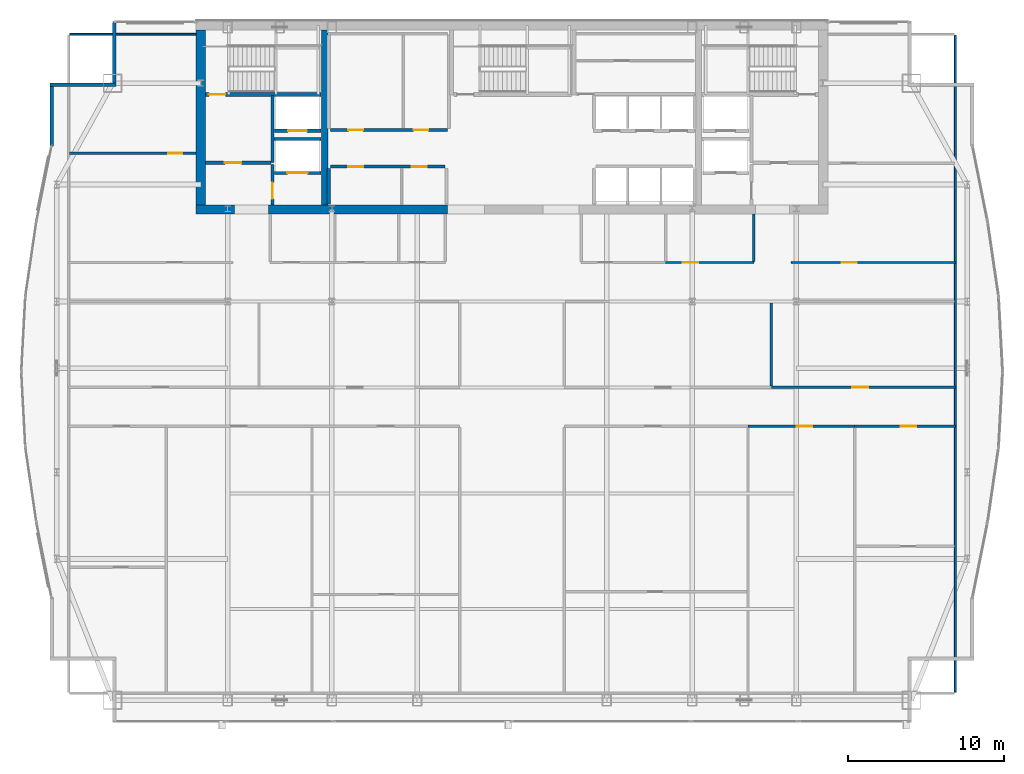
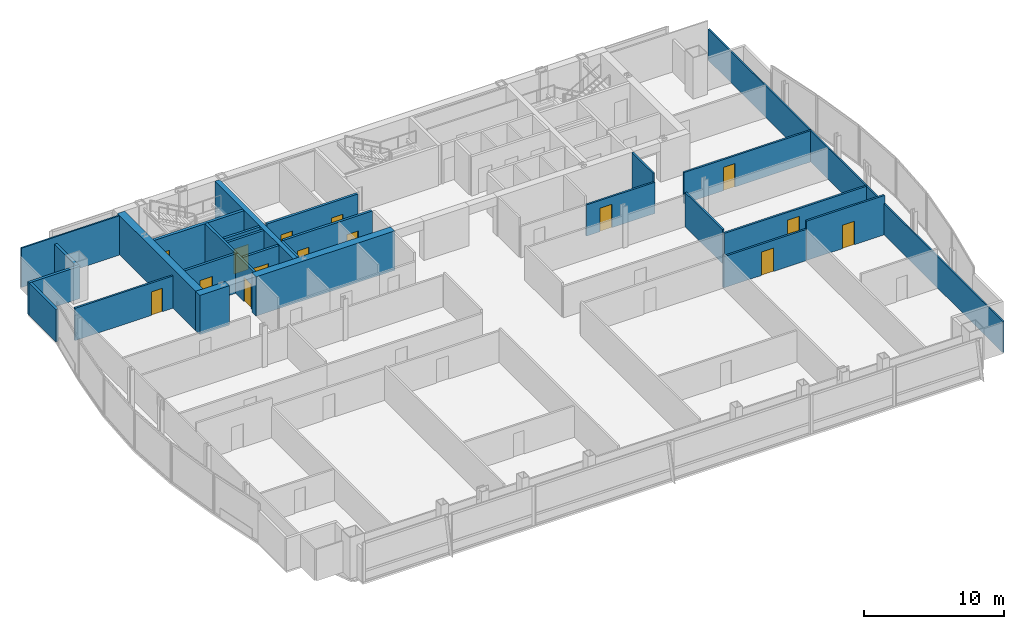
# One storey, part 26 of 30: 27 walls, 15 doors, 15 openings.
"""IFC4 building model written with IfcOpenShell, lengths in metres."""

from ifc_helpers import new_model, si_unit, direction, frame, frame_2d, origin, place, context, subcontext, project, spatial, rectangle, extrude, material, layer, layer_set, type_object, element, fill, save


model = new_model("IFC4")

# Units and contexts
model_context = context("Model", 3, precision=1e-05, world=origin(), true_north=direction((0.0, 1.0)))
body_context = subcontext(model_context, "Body", "Model", "MODEL_VIEW")
ifc_project = project(units=[si_unit("LENGTHUNIT", "METRE"), si_unit("AREAUNIT", "SQUARE_METRE"), si_unit("VOLUMEUNIT", "CUBIC_METRE"), si_unit("PLANEANGLEUNIT", "RADIAN"), si_unit("MASSUNIT", "GRAM", prefix="KILO")], contexts=[model_context])

# Site, building, storey
site_placement = place(None, origin())
site = spatial("IfcSite", under=ifc_project, at=site_placement, CompositionType="ELEMENT")
building_placement = place(site_placement, origin())
building = spatial("IfcBuilding", under=site, at=building_placement, Name="Khoronbel Lancet Exchange", CompositionType="ELEMENT")
storey_placement = place(building_placement, frame((0.0, 0.0, 206.60009765625)))
storey = spatial("IfcBuildingStorey", under=building, at=storey_placement, Name="L52", CompositionType="ELEMENT", Elevation=206.60009765625)

# Walls
ifc_material_1 = material(Name="Concrete C60/75", Category="concrete")
ifc_layer_1 = layer(ifc_material_1, 0.60009765625, Name="Concrete C60/75")
ifc_layer_set_1 = layer_set([ifc_layer_1], Name="Concrete C60/75")
wall_type_1 = type_object("IfcWallType", Name="WL-CW3", PredefinedType="SHEAR", material=ifc_layer_set_1)
wall_1_placement = place(storey_placement, frame((16.5, 41.89990234375, 0.0), z_axis=(0.0, 0.0, 1.0), x_axis=(0.0, 1.0, 0.0)))
element("IfcWall", 1, at=wall_1_placement, inside=storey, type_object=wall_type_1, Name="Level L52 rear core west shear wall", PredefinedType="SHEAR", context=body_context, shape_type="SweptSolid", body=[
    extrude(rectangle(XDim=11.2001953125, YDim=0.60009765625, at=frame_2d((5.60009765625, 0.0))), origin(), (0.0, 0.0, 1.0), 3.43994140625),
])
wall_2_placement = place(storey_placement, frame((18.64990234375, 41.60009765625, 0.0), z_axis=(0.0, 0.0, 1.0), x_axis=(-1.0, 0.0, 0.0)))
element("IfcWall", 2, at=wall_2_placement, inside=storey, type_object=wall_type_1, Name="Level L52 rear core south shear wall pier P1", PredefinedType="SHEAR", context=body_context, shape_type="SweptSolid", body=[
    extrude(rectangle(XDim=2.449951171875, YDim=0.60009765625, at=frame_2d((1.22509765625, 0.0))), origin(), (0.0, 0.0, 1.0), 3.43994140625),
])
wall_3_placement = place(storey_placement, frame((32.300048828125, 41.60009765625, 0.0), z_axis=(0.0, 0.0, 1.0), x_axis=(-1.0, 0.0, 0.0)))
element("IfcWall", 3, at=wall_3_placement, inside=storey, type_object=wall_type_1, Name="Level L52 rear core south shear wall pier P2", PredefinedType="SHEAR", context=body_context, shape_type="SweptSolid", body=[
    extrude(rectangle(XDim=11.449951171875, YDim=0.60009765625, at=frame_2d((5.72509765625, 0.0))), origin(), (0.0, 0.0, 1.0), 3.43994140625),
])
ifc_material_2 = material(Name="Precast concrete C40/50", Category="concrete")
ifc_layer_2 = layer(ifc_material_2, 0.25, Name="Precast concrete C40/50")
ifc_layer_set_2 = layer_set([ifc_layer_2], Name="Precast concrete C40/50")
wall_type_2 = type_object("IfcWallType", Name="WL-EXT250", PredefinedType="SOLIDWALL", material=ifc_layer_set_2)
wall_4_placement = place(storey_placement, frame((6.93994140625, 45.671142578125, 0.0), z_axis=(0.0, 0.0, 1.0), x_axis=(0.0, 1.0, 0.0)))
element("IfcWall", 4, at=wall_4_placement, inside=storey, type_object=wall_type_2, Name="Level L52 notched-corner limestone pier 10", PredefinedType="SOLIDWALL", context=body_context, shape_type="SweptSolid", body=[
    extrude(rectangle(XDim=3.828857421875, YDim=0.219970703125, at=frame_2d((1.91455078125, 0.0))), origin(), (0.0, 0.0, 1.0), 2.829833984375),
])
wall_5_placement = place(storey_placement, frame((6.830078125, 49.610107421875, 0.0), z_axis=(0.0, 0.0, 1.0), x_axis=(1.0, 0.0, 0.0)))
element("IfcWall", 5, at=wall_5_placement, inside=storey, type_object=wall_type_2, Name="Level L52 notched-corner limestone pier 11", PredefinedType="SOLIDWALL", context=body_context, shape_type="SweptSolid", body=[
    extrude(rectangle(XDim=4.219970703125, YDim=0.219970703125, at=frame_2d((2.10986328125, 0.0))), origin(), (0.0, 0.0, 1.0), 2.829833984375),
])
wall_6_placement = place(storey_placement, frame((10.93994140625, 49.719970703125, 0.0), z_axis=(0.0, 0.0, 1.0), x_axis=(0.0, 1.0, 0.0)))
element("IfcWall", 6, at=wall_6_placement, inside=storey, type_object=wall_type_2, Name="Level L52 notched-corner limestone pier 12", PredefinedType="SOLIDWALL", context=body_context, shape_type="SweptSolid", body=[
    extrude(rectangle(XDim=3.909912109375, YDim=0.219970703125, at=frame_2d((1.955078125, 0.0))), origin(), (0.0, 0.0, 1.0), 2.829833984375),
])
ifc_material_3 = material(Name="Acoustic Metal-Stud & Mineral-Wool Gypsum Partition 120 mm", Category="gypsum")
ifc_layer_3 = layer(ifc_material_3, 0.1201171875, Name="Acoustic Metal-Stud & Mineral-Wool Gypsum Partition 120 mm")
ifc_layer_set_3 = layer_set([ifc_layer_3], Name="Acoustic Metal-Stud & Mineral-Wool Gypsum Partition 120 mm")
wall_type_3 = type_object("IfcWallType", Name="WL-PRT120", PredefinedType="PARTITIONING", material=ifc_layer_set_3)
wall_7_placement = place(storey_placement, frame((51.949951171875, 38.280029296875, 0.0), z_axis=(0.0, 0.0, 1.0), x_axis=(0.0, 1.0, 0.0)))
element("IfcWall", 7, at=wall_7_placement, inside=storey, type_object=wall_type_3, Name="Level L52 interior partition PW-NP-1", PredefinedType="PARTITIONING", context=body_context, shape_type="SweptSolid", body=[
    extrude(rectangle(XDim=3.02001953125, YDim=0.14990234375, at=frame_2d((1.510009765625, 0.0))), origin(), (0.0, 0.0, 1.0), 3.43994140625),
])

# Wall, opening, door
wall_8_placement = place(storey_placement, frame((8.094970703125, 45.199951171875, 0.0), z_axis=(0.0, 0.0, 1.0), x_axis=(1.0, 0.0, 0.0)))
wall_8 = element("IfcWall", 8, at=wall_8_placement, inside=storey, type_object=wall_type_3, Name="Level L52 interior partition PW-NW-H", PredefinedType="PARTITIONING", context=body_context, shape_type="SweptSolid", body=[
    extrude(rectangle(XDim=8.10498046875, YDim=0.14990234375, at=frame_2d((4.052490234375, 0.0))), origin(), (0.0, 0.0, 1.0), 2.829833984375),
])
opening_1_placement = place(wall_8_placement, frame((6.320068359375, 0.0, 0.0)))
opening_1 = element("IfcOpeningElement", 9, at=opening_1_placement, cuts=wall_8, Name="Opening D5", PredefinedType="OPENING", context=body_context, shape_type="SweptSolid", body=[
    extrude(rectangle(XDim=0.89990234375, YDim=2.050048828125, at=frame_2d((0.449951171875, 1.02490234375))), frame((0.0, 0.0849609375, 0.0), z_axis=(0.0, -1.0, 0.0), x_axis=(1.0, 0.0, 0.0)), (0.0, 0.0, 1.0), 0.169921875),
])
ifc_material_4 = material(Name="Acoustic Timber Pantry & Support Door", Category="wood")
door_type_1 = type_object("IfcDoorType", Name="DR-D5", OperationType="NOTDEFINED", PredefinedType="DOOR", material=ifc_material_4)
door_1_placement = place(opening_1_placement, origin())
door_1 = element("IfcDoor", 10, at=door_1_placement, inside=storey, type_object=door_type_1, Name="NW north room door L52-1", OperationType="SINGLE_SWING_RIGHT", OverallHeight=2.050048828125, OverallWidth=0.89990234375, PredefinedType="DOOR", context=body_context, shape_type="SweptSolid", body=[
    extrude(rectangle(XDim=0.89990234375, YDim=2.050048828125, at=frame_2d((0.449951171875, 1.02490234375))), frame((0.0, 0.02490234375, 0.0), z_axis=(0.0, -1.0, 0.0), x_axis=(1.0, 0.0, 0.0)), (0.0, 0.0, 1.0), 0.050048828125),
])
fill(opening_1, door_1)

# Walls
wall_9_placement = place(storey_placement, frame((64.8701171875, 10.6650390625, 0.0), z_axis=(0.0, 0.0, 1.0), x_axis=(0.0, 1.0, 0.0)))
element("IfcWall", 11, at=wall_9_placement, inside=storey, type_object=wall_type_3, Name="Level L52 interior partition PW-LIN-E", PredefinedType="PARTITIONING", context=body_context, shape_type="SweptSolid", body=[
    extrude(rectangle(XDim=42.10986328125, YDim=0.1201171875, at=frame_2d((21.054931640625, 0.0))), origin(), (0.0, 0.0, 1.0), 2.72998046875),
])
wall_10_placement = place(storey_placement, frame((8.094970703125, 52.840087890625, 0.0), z_axis=(0.0, 0.0, 1.0), x_axis=(1.0, 0.0, 0.0)))
element("IfcWall", 12, at=wall_10_placement, inside=storey, type_object=wall_type_3, Name="Level L52 interior partition PW-LIN-NW", PredefinedType="PARTITIONING", context=body_context, shape_type="SweptSolid", body=[
    extrude(rectangle(XDim=8.10498046875, YDim=0.1201171875, at=frame_2d((4.052490234375, 0.0))), origin(), (0.0, 0.0, 1.0), 3.43994140625),
])

# Wall, opening, door
ifc_material_5 = material(Name="Fire-Rated Twin-Stud Acoustic Gypsum Partition 150 mm", Category="gypsum")
ifc_layer_4 = layer(ifc_material_5, 0.14990234375, Name="Fire-Rated Twin-Stud Acoustic Gypsum Partition 150 mm")
ifc_layer_set_4 = layer_set([ifc_layer_4], Name="Fire-Rated Twin-Stud Acoustic Gypsum Partition 150 mm")
wall_type_4 = type_object("IfcWallType", Name="WL-PRT150C", PredefinedType="PARTITIONING", material=ifc_layer_set_4)
wall_11_placement = place(storey_placement, frame((46.300048828125, 38.199951171875, 0.0), z_axis=(0.0, 0.0, 1.0), x_axis=(1.0, 0.0, 0.0)))
wall_11 = element("IfcWall", 13, at=wall_11_placement, inside=storey, type_object=wall_type_4, Name="Level L52 interior partition PW-NP-S2", PredefinedType="PARTITIONING", context=body_context, shape_type="SweptSolid", body=[
    extrude(rectangle(XDim=5.64990234375, YDim=0.14990234375, at=frame_2d((2.824951171875, 0.0))), origin(), (0.0, 0.0, 1.0), 2.72998046875),
])
opening_2_placement = place(wall_11_placement, frame((1.10009765625, 0.0, 0.0)))
opening_2 = element("IfcOpeningElement", 14, at=opening_2_placement, cuts=wall_11, Name="Opening D2", PredefinedType="OPENING", context=body_context, shape_type="SweptSolid", body=[
    extrude(rectangle(XDim=1.0, YDim=2.050048828125, at=frame_2d((0.5, 1.02490234375))), frame((0.0, 0.0849609375, 0.0), z_axis=(0.0, -1.0, 0.0), x_axis=(1.0, 0.0, 0.0)), (0.0, 0.0, 1.0), 0.169921875),
])
ifc_material_6 = material(Name="Acoustic Veneered Timber & Bronze Frame Door", Category="wood")
door_type_2 = type_object("IfcDoorType", Name="DR-D2", OperationType="NOTDEFINED", PredefinedType="DOOR", material=ifc_material_6)
door_2_placement = place(opening_2_placement, origin())
door_2 = element("IfcDoor", 15, at=door_2_placement, inside=storey, type_object=door_type_2, Name="Floor store door L52-1", OperationType="SINGLE_SWING_LEFT", OverallHeight=2.050048828125, OverallWidth=1.0, PredefinedType="DOOR", context=body_context, shape_type="SweptSolid", body=[
    extrude(rectangle(XDim=1.0, YDim=2.050048828125, at=frame_2d((0.5, 1.02490234375))), frame((0.0, 0.02490234375, 0.0), z_axis=(0.0, -1.0, 0.0), x_axis=(1.0, 0.0, 0.0)), (0.0, 0.0, 1.0), 0.050048828125),
])
fill(opening_2, door_2)

wall_12_placement = place(storey_placement, frame((54.35009765625, 38.199951171875, 0.0), z_axis=(0.0, 0.0, 1.0), x_axis=(1.0, 0.0, 0.0)))
wall_12 = element("IfcWall", 16, at=wall_12_placement, inside=storey, type_object=wall_type_4, Name="Level L52 interior partition PW-NE-S", PredefinedType="PARTITIONING", context=body_context, shape_type="SweptSolid", body=[
    extrude(rectangle(XDim=10.52001953125, YDim=0.14990234375, at=frame_2d((5.260009765625, 0.0))), origin(), (0.0, 0.0, 1.0), 2.72998046875),
])
opening_3_placement = place(wall_12_placement, frame((3.25, 0.0, 0.0)))
opening_3 = element("IfcOpeningElement", 17, at=opening_3_placement, cuts=wall_12, Name="Opening D1", PredefinedType="OPENING", context=body_context, shape_type="SweptSolid", body=[
    extrude(rectangle(XDim=0.949951171875, YDim=2.050048828125, at=frame_2d((0.47509765625, 1.02490234375))), frame((0.0, 0.0849609375, 0.0), z_axis=(0.0, -1.0, 0.0), x_axis=(1.0, 0.0, 0.0)), (0.0, 0.0, 1.0), 0.169921875),
])
door_type_3 = type_object("IfcDoorType", Name="DR-D1", OperationType="NOTDEFINED", PredefinedType="DOOR", material=ifc_material_6)
door_3_placement = place(opening_3_placement, origin())
door_3 = element("IfcDoor", 18, at=door_3_placement, inside=storey, type_object=door_type_3, Name="NE corner room door L52-1", OperationType="SINGLE_SWING_LEFT", OverallHeight=2.050048828125, OverallWidth=0.949951171875, PredefinedType="DOOR", context=body_context, shape_type="SweptSolid", body=[
    extrude(rectangle(XDim=0.949951171875, YDim=2.050048828125, at=frame_2d((0.47509765625, 1.02490234375))), frame((0.0, 0.02490234375, 0.0), z_axis=(0.0, -1.0, 0.0), x_axis=(1.0, 0.0, 0.0)), (0.0, 0.0, 1.0), 0.050048828125),
])
fill(opening_3, door_3)

# Wall
wall_13_placement = place(storey_placement, frame((53.072509765625, 30.284912109375, 0.0), z_axis=(0.0, 0.0, 1.0), x_axis=(0.0, 1.0, 0.0)))
element("IfcWall", 19, at=wall_13_placement, inside=storey, type_object=wall_type_4, Name="Level L52 interior partition PW-Z3NE-V1", PredefinedType="PARTITIONING", context=body_context, shape_type="SweptSolid", body=[
    extrude(rectangle(XDim=5.335205078125, YDim=0.14990234375, at=frame_2d((2.66748046875, 0.0))), origin(), (0.0, 0.0, 1.0), 2.97998046875),
])

# Wall, opening, door
ifc_material_7 = material(Name="Fire-Rated Twin-Stud Acoustic Gypsum Partition 160 mm", Category="gypsum")
ifc_layer_5 = layer(ifc_material_7, 0.159912109375, Name="Fire-Rated Twin-Stud Acoustic Gypsum Partition 160 mm")
ifc_layer_set_5 = layer_set([ifc_layer_5], Name="Fire-Rated Twin-Stud Acoustic Gypsum Partition 160 mm")
wall_type_5 = type_object("IfcWallType", Name="WL-PRT160C", PredefinedType="PARTITIONING", material=ifc_layer_set_5)
wall_14_placement = place(storey_placement, frame((51.5751953125, 27.699951171875, 0.0), z_axis=(0.0, 0.0, 1.0), x_axis=(1.0, 0.0, 0.0)))
wall_14 = element("IfcWall", 20, at=wall_14_placement, inside=storey, type_object=wall_type_5, Name="Level L52 interior partition PW-Z3SE-COR2", PredefinedType="PARTITIONING", context=body_context, shape_type="SweptSolid", body=[
    extrude(rectangle(XDim=6.83740234375, YDim=0.159912109375, at=frame_2d((3.418701171875, 0.0))), origin(), (0.0, 0.0, 1.0), 2.72998046875),
])
opening_4_placement = place(wall_14_placement, frame((3.12158203125, 0.0, 0.0)))
opening_4 = element("IfcOpeningElement", 21, at=opening_4_placement, cuts=wall_14, Name="Opening D2", PredefinedType="OPENING", context=body_context, shape_type="SweptSolid", body=[
    extrude(rectangle(XDim=1.0, YDim=2.050048828125, at=frame_2d((0.5, 1.02490234375))), frame((0.0, 0.08984375, 0.0), z_axis=(0.0, -1.0, 0.0), x_axis=(1.0, 0.0, 0.0)), (0.0, 0.0, 1.0), 0.179931640625),
])
door_4_placement = place(opening_4_placement, origin())
door_4 = element("IfcDoor", 22, at=door_4_placement, inside=storey, type_object=door_type_2, Name="Z3SE bay 2 door L52-1", OperationType="SINGLE_SWING_LEFT", OverallHeight=2.050048828125, OverallWidth=1.0, PredefinedType="DOOR", context=body_context, shape_type="SweptSolid", body=[
    extrude(rectangle(XDim=1.0, YDim=2.050048828125, at=frame_2d((0.5, 1.02490234375))), frame((0.0, 0.02490234375, 0.0), z_axis=(0.0, -1.0, 0.0), x_axis=(1.0, 0.0, 0.0)), (0.0, 0.0, 1.0), 0.050048828125),
])
fill(opening_4, door_4)

wall_15_placement = place(storey_placement, frame((58.41259765625, 27.699951171875, 0.0), z_axis=(0.0, 0.0, 1.0), x_axis=(1.0, 0.0, 0.0)))
wall_15 = element("IfcWall", 23, at=wall_15_placement, inside=storey, type_object=wall_type_5, Name="Level L52 interior partition PW-Z3SE-COR3", PredefinedType="PARTITIONING", context=body_context, shape_type="SweptSolid", body=[
    extrude(rectangle(XDim=6.45751953125, YDim=0.159912109375, at=frame_2d((3.228759765625, 0.0))), origin(), (0.0, 0.0, 1.0), 3.43994140625),
])
opening_5_placement = place(wall_15_placement, frame((2.962158203125, 0.0, 0.0)))
opening_5 = element("IfcOpeningElement", 24, at=opening_5_placement, cuts=wall_15, Name="Opening D2", PredefinedType="OPENING", context=body_context, shape_type="SweptSolid", body=[
    extrude(rectangle(XDim=1.0, YDim=2.050048828125, at=frame_2d((0.5, 1.02490234375))), frame((0.0, 0.08984375, 0.0), z_axis=(0.0, -1.0, 0.0), x_axis=(1.0, 0.0, 0.0)), (0.0, 0.0, 1.0), 0.179931640625),
])
door_5_placement = place(opening_5_placement, origin())
door_5 = element("IfcDoor", 25, at=door_5_placement, inside=storey, type_object=door_type_2, Name="Z3SE bay 3 door L52-1", OperationType="SINGLE_SWING_RIGHT", OverallHeight=2.050048828125, OverallWidth=1.0, PredefinedType="DOOR", context=body_context, shape_type="SweptSolid", body=[
    extrude(rectangle(XDim=1.0, YDim=2.050048828125, at=frame_2d((0.5, 1.02490234375))), frame((0.0, 0.02490234375, 0.0), z_axis=(0.0, -1.0, 0.0), x_axis=(1.0, 0.0, 0.0)), (0.0, 0.0, 1.0), 0.050048828125),
])
fill(opening_5, door_5)

wall_16_placement = place(storey_placement, frame((53.072509765625, 30.199951171875, 0.0), z_axis=(0.0, 0.0, 1.0), x_axis=(1.0, 0.0, 0.0)))
wall_16 = element("IfcWall", 26, at=wall_16_placement, inside=storey, type_object=wall_type_5, Name="Level L52 interior partition PW-Z3NE-COR2", PredefinedType="PARTITIONING", context=body_context, shape_type="SweptSolid", body=[
    extrude(rectangle(XDim=11.797607421875, YDim=0.159912109375, at=frame_2d((5.89892578125, 0.0))), origin(), (0.0, 0.0, 1.0), 2.72998046875),
])
opening_6_placement = place(wall_16_placement, frame((5.205078125, 0.0, 0.0)))
opening_6 = element("IfcOpeningElement", 27, at=opening_6_placement, cuts=wall_16, Name="Opening D2", PredefinedType="OPENING", context=body_context, shape_type="SweptSolid", body=[
    extrude(rectangle(XDim=1.0, YDim=2.050048828125, at=frame_2d((0.5, 1.02490234375))), frame((0.0, 0.08984375, 0.0), z_axis=(0.0, -1.0, 0.0), x_axis=(1.0, 0.0, 0.0)), (0.0, 0.0, 1.0), 0.179931640625),
])
door_6_placement = place(opening_6_placement, origin())
door_6 = element("IfcDoor", 28, at=door_6_placement, inside=storey, type_object=door_type_2, Name="Z3NE bay 2 door L52-1", OperationType="SINGLE_SWING_LEFT", OverallHeight=2.050048828125, OverallWidth=1.0, PredefinedType="DOOR", context=body_context, shape_type="SweptSolid", body=[
    extrude(rectangle(XDim=1.0, YDim=2.050048828125, at=frame_2d((0.5, 1.02490234375))), frame((0.0, 0.02490234375, 0.0), z_axis=(0.0, -1.0, 0.0), x_axis=(1.0, 0.0, 0.0)), (0.0, 0.0, 1.0), 0.050048828125),
])
fill(opening_6, door_6)

ifc_material_8 = material(Name="Autoclaved Aerated Concrete Blockwork 200 mm", Category="masonry")
ifc_layer_6 = layer(ifc_material_8, 0.199951171875, Name="Autoclaved Aerated Concrete Blockwork 200 mm")
ifc_layer_set_6 = layer_set([ifc_layer_6], Name="Autoclaved Aerated Concrete Blockwork 200 mm")
wall_type_6 = type_object("IfcWallType", Name="WL-PRT200", PredefinedType="PARTITIONING", material=ifc_layer_set_6)
wall_17_placement = place(storey_placement, frame((24.2099609375, 43.949951171875, 0.0), z_axis=(0.0, 0.0, 1.0), x_axis=(-1.0, 0.0, 0.0)))
wall_17 = element("IfcWall", 29, at=wall_17_placement, inside=storey, type_object=wall_type_6, Name="Level L52 elevator hoistway landing front wall SVLW", PredefinedType="PARTITIONING", context=body_context, shape_type="SweptSolid", body=[
    extrude(rectangle(XDim=2.969970703125, YDim=0.199951171875, at=frame_2d((1.48486328125, 0.0))), origin(), (0.0, 0.0, 1.0), 3.43994140625),
])
opening_7_placement = place(wall_17_placement, frame((0.860107421875, 0.0, 0.0)))
opening_7 = element("IfcOpeningElement", 30, at=opening_7_placement, cuts=wall_17, Name="Opening LD-SVL1", PredefinedType="OPENING", context=body_context, shape_type="SweptSolid", body=[
    extrude(rectangle(XDim=1.300048828125, YDim=2.179931640625, at=frame_2d((0.64990234375, 1.08984375))), frame((0.0, 0.10986328125, 0.0), z_axis=(0.0, -1.0, 0.0), x_axis=(1.0, 0.0, 0.0)), (0.0, 0.0, 1.0), 0.219970703125),
])
ifc_material_9 = material(Name="Heavy-Duty Bi-Parting Goods Lift Landing Door", Category="steel")
door_type_4 = type_object("IfcDoorType", Name="DR-LD-SVL", OperationType="NOTDEFINED", PredefinedType="DOOR", material=ifc_material_9)
door_7_placement = place(opening_7_placement, origin())
door_7 = element("IfcDoor", 31, at=door_7_placement, inside=storey, type_object=door_type_4, Name="Elevator landing sliding door LD-SVL1 L52", OperationType="SLIDING_TO_LEFT", OverallHeight=2.179931640625, OverallWidth=1.300048828125, PredefinedType="DOOR", context=body_context, shape_type="SweptSolid", body=[
    extrude(rectangle(XDim=1.300048828125, YDim=2.179931640625, at=frame_2d((0.64990234375, 1.08984375))), frame((0.0, 0.02490234375, 0.0), z_axis=(0.0, -1.0, 0.0), x_axis=(1.0, 0.0, 0.0)), (0.0, 0.0, 1.0), 0.050048828125),
])
fill(opening_7, door_7)

wall_18_placement = place(storey_placement, frame((24.2099609375, 46.64990234375, 0.0), z_axis=(0.0, 0.0, 1.0), x_axis=(-1.0, 0.0, 0.0)))
wall_18 = element("IfcWall", 32, at=wall_18_placement, inside=storey, type_object=wall_type_6, Name="Level L52 elevator hoistway landing front wall FFLW", PredefinedType="PARTITIONING", context=body_context, shape_type="SweptSolid", body=[
    extrude(rectangle(XDim=2.969970703125, YDim=0.199951171875, at=frame_2d((1.48486328125, 0.0))), origin(), (0.0, 0.0, 1.0), 3.43994140625),
])
opening_8_placement = place(wall_18_placement, frame((0.909912109375, 0.0, 0.0)))
opening_8 = element("IfcOpeningElement", 33, at=opening_8_placement, cuts=wall_18, Name="Opening LD-FFL1", PredefinedType="OPENING", context=body_context, shape_type="SweptSolid", body=[
    extrude(rectangle(XDim=1.199951171875, YDim=2.179931640625, at=frame_2d((0.60009765625, 1.08984375))), frame((0.0, 0.10986328125, 0.0), z_axis=(0.0, -1.0, 0.0), x_axis=(1.0, 0.0, 0.0)), (0.0, 0.0, 1.0), 0.219970703125),
])
ifc_material_10 = material(Name="Fire-Rated Stainless Bi-Parting Firefighting Lift Door", Category="steel")
door_type_5 = type_object("IfcDoorType", Name="DR-LD-FFL", OperationType="NOTDEFINED", PredefinedType="DOOR", material=ifc_material_10)
door_8_placement = place(opening_8_placement, origin())
door_8 = element("IfcDoor", 34, at=door_8_placement, inside=storey, type_object=door_type_5, Name="Elevator landing sliding door LD-FFL1 L52", OperationType="SLIDING_TO_LEFT", OverallHeight=2.179931640625, OverallWidth=1.199951171875, PredefinedType="DOOR", context=body_context, shape_type="SweptSolid", body=[
    extrude(rectangle(XDim=1.199951171875, YDim=2.179931640625, at=frame_2d((0.60009765625, 1.08984375))), frame((0.0, 0.02490234375, 0.0), z_axis=(0.0, -1.0, 0.0), x_axis=(1.0, 0.0, 0.0)), (0.0, 0.0, 1.0), 0.050048828125),
])
fill(opening_8, door_8)

# Wall
wall_19_placement = place(storey_placement, frame((21.10009765625, 44.60009765625, 0.0), z_axis=(0.0, 0.0, 1.0), x_axis=(0.0, 1.0, 0.0)))
element("IfcWall", 35, at=wall_19_placement, inside=storey, type_object=wall_type_6, Name="Level L52 interior partition CW-FFLW-E", PredefinedType="PARTITIONING", context=body_context, shape_type="SweptSolid", body=[
    extrude(rectangle(XDim=4.2998046875, YDim=0.199951171875, at=frame_2d((2.14990234375, 0.0))), origin(), (0.0, 0.0, 1.0), 3.43994140625),
])

# Wall, opening, door
wall_20_placement = place(storey_placement, frame((16.800048828125, 44.60009765625, 0.0), z_axis=(0.0, 0.0, 1.0), x_axis=(1.0, 0.0, 0.0)))
wall_20 = element("IfcWall", 36, at=wall_20_placement, inside=storey, type_object=wall_type_6, Name="Level L52 interior partition CW-FFLW-S", PredefinedType="PARTITIONING", context=body_context, shape_type="SweptSolid", body=[
    extrude(rectangle(XDim=4.199951171875, YDim=0.199951171875, at=frame_2d((2.10009765625, 0.0))), origin(), (0.0, 0.0, 1.0), 3.43994140625),
])
opening_9_placement = place(wall_20_placement, frame((1.25, 0.0, 0.0)))
opening_9 = element("IfcOpeningElement", 37, at=opening_9_placement, cuts=wall_20, Name="Opening FD1", PredefinedType="OPENING", context=body_context, shape_type="SweptSolid", body=[
    extrude(rectangle(XDim=1.050048828125, YDim=2.14990234375, at=frame_2d((0.52490234375, 1.074951171875))), frame((0.0, 0.10986328125, 0.0), z_axis=(0.0, -1.0, 0.0), x_axis=(1.0, 0.0, 0.0)), (0.0, 0.0, 1.0), 0.219970703125),
])
ifc_material_11 = material(Name="Fire-Rated Painted Steel Door Assembly", Category="steel")
door_type_6 = type_object("IfcDoorType", Name="DR-FD1", OperationType="NOTDEFINED", PredefinedType="DOOR", material=ifc_material_11)
door_9_placement = place(opening_9_placement, origin())
door_9 = element("IfcDoor", 38, at=door_9_placement, inside=storey, type_object=door_type_6, Name="West firefighting lobby FD90S door L52-1", OperationType="SINGLE_SWING_LEFT", OverallHeight=2.14990234375, OverallWidth=1.050048828125, PredefinedType="DOOR", context=body_context, shape_type="SweptSolid", body=[
    extrude(rectangle(XDim=1.050048828125, YDim=2.14990234375, at=frame_2d((0.52490234375, 1.074951171875))), frame((0.0, 0.02490234375, 0.0), z_axis=(0.0, -1.0, 0.0), x_axis=(1.0, 0.0, 0.0)), (0.0, 0.0, 1.0), 0.050048828125),
])
fill(opening_9, door_9)

# Wall
wall_21_placement = place(storey_placement, frame((21.199951171875, 46.1201171875, 0.0), z_axis=(0.0, 0.0, 1.0), x_axis=(1.0, 0.0, 0.0)))
element("IfcWall", 39, at=wall_21_placement, inside=storey, type_object=wall_type_6, Name="Level L52 interior partition CW-FFL1-S", PredefinedType="PARTITIONING", context=body_context, shape_type="SweptSolid", body=[
    extrude(rectangle(XDim=3.02001953125, YDim=0.199951171875, at=frame_2d((1.510009765625, 0.0))), origin(), (0.0, 0.0, 1.0), 3.43994140625),
])

# Wall, opening, door
wall_22_placement = place(storey_placement, frame((21.10009765625, 41.89990234375, 0.0), z_axis=(0.0, 0.0, 1.0), x_axis=(0.0, 1.0, 0.0)))
wall_22 = element("IfcWall", 40, at=wall_22_placement, inside=storey, type_object=wall_type_6, Name="Level L52 interior partition CW-SVLW-W", PredefinedType="PARTITIONING", context=body_context, shape_type="SweptSolid", body=[
    extrude(rectangle(XDim=2.59521484375, YDim=0.199951171875, at=frame_2d((1.297607421875, 0.0))), origin(), (0.0, 0.0, 1.0), 3.43994140625),
])
opening_10_placement = place(wall_22_placement, frame((0.3798828125, 0.0, 0.0)))
opening_10 = element("IfcOpeningElement", 41, at=opening_10_placement, cuts=wall_22, Name="Opening FD1", PredefinedType="OPENING", context=body_context, shape_type="SweptSolid", body=[
    extrude(rectangle(XDim=1.050048828125, YDim=2.14990234375, at=frame_2d((0.52490234375, 1.074951171875))), frame((0.0, 0.10986328125, 0.0), z_axis=(0.0, -1.0, 0.0), x_axis=(1.0, 0.0, 0.0)), (0.0, 0.0, 1.0), 0.219970703125),
])
door_10_placement = place(opening_10_placement, origin())
door_10 = element("IfcDoor", 42, at=door_10_placement, inside=storey, type_object=door_type_6, Name="West service lift lobby door L52-1", OperationType="SINGLE_SWING_RIGHT", OverallHeight=2.14990234375, OverallWidth=1.050048828125, PredefinedType="DOOR", context=body_context, shape_type="SweptSolid", body=[
    extrude(rectangle(XDim=1.050048828125, YDim=2.14990234375, at=frame_2d((0.52490234375, 1.074951171875))), frame((0.0, 0.02490234375, 0.0), z_axis=(0.0, -1.0, 0.0), x_axis=(1.0, 0.0, 0.0)), (0.0, 0.0, 1.0), 0.050048828125),
])
fill(opening_10, door_10)

# Wall, openings, doors
wall_23_placement = place(storey_placement, frame((24.804931640625, 46.699951171875, 0.0), z_axis=(0.0, 0.0, 1.0), x_axis=(1.0, 0.0, 0.0)))
wall_23 = element("IfcWall", 43, at=wall_23_placement, inside=storey, type_object=wall_type_6, Name="Level L52 interior partition CW-PL-RF", PredefinedType="PARTITIONING", context=body_context, shape_type="SweptSolid", body=[
    extrude(rectangle(XDim=7.510009765625, YDim=0.199951171875, at=frame_2d((3.7548828125, 0.0))), origin(), (0.0, 0.0, 1.0), 3.43994140625),
])
opening_11_placement = place(wall_23_placement, frame((1.14990234375, 0.0, 0.0)))
opening_11 = element("IfcOpeningElement", 44, at=opening_11_placement, cuts=wall_23, Name="Opening FD3", PredefinedType="OPENING", context=body_context, shape_type="SweptSolid", body=[
    extrude(rectangle(XDim=0.949951171875, YDim=2.10009765625, at=frame_2d((0.47509765625, 1.050048828125))), frame((0.0, 0.10986328125, 0.0), z_axis=(0.0, -1.0, 0.0), x_axis=(1.0, 0.0, 0.0)), (0.0, 0.0, 1.0), 0.219970703125),
])
opening_12_placement = place(wall_23_placement, frame((5.33642578125, 0.0, 0.0)))
opening_12 = element("IfcOpeningElement", 45, at=opening_12_placement, cuts=wall_23, Name="Opening FD3", PredefinedType="OPENING", context=body_context, shape_type="SweptSolid", body=[
    extrude(rectangle(XDim=0.949951171875, YDim=2.10009765625, at=frame_2d((0.47509765625, 1.050048828125))), frame((0.0, 0.10986328125, 0.0), z_axis=(0.0, -1.0, 0.0), x_axis=(1.0, 0.0, 0.0)), (0.0, 0.0, 1.0), 0.219970703125),
])
ifc_material_12 = material(Name="Fire-Rated Steel Plant & Riser Door Assembly", Category="steel")
door_type_7 = type_object("IfcDoorType", Name="DR-FD3", OperationType="NOTDEFINED", PredefinedType="DOOR", material=ifc_material_12)
door_11_placement = place(opening_11_placement, origin())
door_11 = element("IfcDoor", 46, at=door_11_placement, inside=storey, type_object=door_type_7, Name="Reclaimed PL C door L52-1", OperationType="SINGLE_SWING_LEFT", OverallHeight=2.10009765625, OverallWidth=0.949951171875, PredefinedType="DOOR", context=body_context, shape_type="SweptSolid", body=[
    extrude(rectangle(XDim=0.949951171875, YDim=2.10009765625, at=frame_2d((0.47509765625, 1.050048828125))), frame((0.0, 0.02490234375, 0.0), z_axis=(0.0, -1.0, 0.0), x_axis=(1.0, 0.0, 0.0)), (0.0, 0.0, 1.0), 0.050048828125),
])
fill(opening_11, door_11)
door_12_placement = place(opening_12_placement, origin())
door_12 = element("IfcDoor", 47, at=door_12_placement, inside=storey, type_object=door_type_7, Name="Reclaimed PL D door L52-2", OperationType="SINGLE_SWING_RIGHT", OverallHeight=2.10009765625, OverallWidth=0.949951171875, PredefinedType="DOOR", context=body_context, shape_type="SweptSolid", body=[
    extrude(rectangle(XDim=0.949951171875, YDim=2.10009765625, at=frame_2d((0.47509765625, 1.050048828125))), frame((0.0, 0.02490234375, 0.0), z_axis=(0.0, -1.0, 0.0), x_axis=(1.0, 0.0, 0.0)), (0.0, 0.0, 1.0), 0.050048828125),
])
fill(opening_12, door_12)

# Wall
wall_24_placement = place(storey_placement, frame((24.699951171875, 41.949951171875, 0.0), z_axis=(0.0, 0.0, 1.0), x_axis=(0.0, 1.0, 0.0)))
element("IfcWall", 48, at=wall_24_placement, inside=storey, type_object=wall_type_6, Name="Level L52 interior partition CW-PM-RW", PredefinedType="PARTITIONING", context=body_context, shape_type="SweptSolid", body=[
    extrude(rectangle(XDim=2.295166015625, YDim=0.199951171875, at=frame_2d((1.1474609375, 0.0))), origin(), (0.0, 0.0, 1.0), 3.43994140625),
])

# Wall, openings, doors
wall_25_placement = place(storey_placement, frame((24.804931640625, 44.35009765625, 0.0), z_axis=(0.0, 0.0, 1.0), x_axis=(1.0, 0.0, 0.0)))
wall_25 = element("IfcWall", 49, at=wall_25_placement, inside=storey, type_object=wall_type_6, Name="Level L52 interior partition CW-PM-RF", PredefinedType="PARTITIONING", context=body_context, shape_type="SweptSolid", body=[
    extrude(rectangle(XDim=7.340087890625, YDim=0.199951171875, at=frame_2d((3.669921875, 0.0))), origin(), (0.0, 0.0, 1.0), 3.43994140625),
])
opening_13_placement = place(wall_25_placement, frame((1.14990234375, 0.0, 0.0)))
opening_13 = element("IfcOpeningElement", 50, at=opening_13_placement, cuts=wall_25, Name="Opening FD3", PredefinedType="OPENING", context=body_context, shape_type="SweptSolid", body=[
    extrude(rectangle(XDim=0.949951171875, YDim=2.10009765625, at=frame_2d((0.47509765625, 1.050048828125))), frame((0.0, 0.10986328125, 0.0), z_axis=(0.0, -1.0, 0.0), x_axis=(1.0, 0.0, 0.0)), (0.0, 0.0, 1.0), 0.219970703125),
])
opening_14_placement = place(wall_25_placement, frame((5.23095703125, 0.0, 0.0)))
opening_14 = element("IfcOpeningElement", 51, at=opening_14_placement, cuts=wall_25, Name="Opening FD3", PredefinedType="OPENING", context=body_context, shape_type="SweptSolid", body=[
    extrude(rectangle(XDim=0.949951171875, YDim=2.10009765625, at=frame_2d((0.47509765625, 1.050048828125))), frame((0.0, 0.10986328125, 0.0), z_axis=(0.0, -1.0, 0.0), x_axis=(1.0, 0.0, 0.0)), (0.0, 0.0, 1.0), 0.219970703125),
])
door_13_placement = place(opening_13_placement, origin())
door_13 = element("IfcDoor", 52, at=door_13_placement, inside=storey, type_object=door_type_7, Name="Reclaimed PM C door L52-1", OperationType="SINGLE_SWING_LEFT", OverallHeight=2.10009765625, OverallWidth=0.949951171875, PredefinedType="DOOR", context=body_context, shape_type="SweptSolid", body=[
    extrude(rectangle(XDim=0.949951171875, YDim=2.10009765625, at=frame_2d((0.47509765625, 1.050048828125))), frame((0.0, 0.02490234375, 0.0), z_axis=(0.0, -1.0, 0.0), x_axis=(1.0, 0.0, 0.0)), (0.0, 0.0, 1.0), 0.050048828125),
])
fill(opening_13, door_13)
door_14_placement = place(opening_14_placement, origin())
door_14 = element("IfcDoor", 53, at=door_14_placement, inside=storey, type_object=door_type_7, Name="Reclaimed PM D door L52-2", OperationType="SINGLE_SWING_RIGHT", OverallHeight=2.10009765625, OverallWidth=0.949951171875, PredefinedType="DOOR", context=body_context, shape_type="SweptSolid", body=[
    extrude(rectangle(XDim=0.949951171875, YDim=2.10009765625, at=frame_2d((0.47509765625, 1.050048828125))), frame((0.0, 0.02490234375, 0.0), z_axis=(0.0, -1.0, 0.0), x_axis=(1.0, 0.0, 0.0)), (0.0, 0.0, 1.0), 0.050048828125),
])
fill(opening_14, door_14)

# Wall
ifc_layer_7 = layer(ifc_material_1, 0.39990234375, Name="Concrete C60/75")
ifc_layer_set_7 = layer_set([ifc_layer_7], Name="Concrete C60/75")
wall_type_7 = type_object("IfcWallType", Name="WL-SW2", PredefinedType="SHEAR", material=ifc_layer_set_7)
wall_26_placement = place(storey_placement, frame((24.449951171875, 41.89990234375, 0.0), z_axis=(0.0, 0.0, 1.0), x_axis=(0.0, 1.0, 0.0)))
element("IfcWall", 54, at=wall_26_placement, inside=storey, type_object=wall_type_7, Name="Level L52 rear core internal spine shear wall IW", PredefinedType="SHEAR", context=body_context, shape_type="SweptSolid", body=[
    extrude(rectangle(XDim=11.2001953125, YDim=0.39990234375, at=frame_2d((5.60009765625, 0.0))), origin(), (0.0, 0.0, 1.0), 3.43994140625),
])

# Wall, opening, door
ifc_layer_8 = layer(ifc_material_1, 0.260009765625, Name="Concrete C60/75")
ifc_layer_set_8 = layer_set([ifc_layer_8], Name="Concrete C60/75")
wall_type_8 = type_object("IfcWallType", Name="WL-SW3", PredefinedType="SHEAR", material=ifc_layer_set_8)
wall_27_placement = place(storey_placement, frame((16.800048828125, 48.97998046875, 0.0), z_axis=(0.0, 0.0, 1.0), x_axis=(1.0, 0.0, 0.0)))
wall_27 = element("IfcWall", 55, at=wall_27_placement, inside=storey, type_object=wall_type_8, Name="Level L52 west stairwell structural south wall", PredefinedType="SHEAR", context=body_context, shape_type="SweptSolid", body=[
    extrude(rectangle(XDim=7.419921875, YDim=0.239990234375, at=frame_2d((3.7099609375, 0.0))), origin(), (0.0, 0.0, 1.0), 3.43994140625),
])
opening_15_placement = place(wall_27_placement, frame((0.219970703125, 0.0, 0.0)))
opening_15 = element("IfcOpeningElement", 56, at=opening_15_placement, cuts=wall_27, Name="Opening SD1", PredefinedType="OPENING", context=body_context, shape_type="SweptSolid", body=[
    extrude(rectangle(XDim=1.050048828125, YDim=2.14990234375, at=frame_2d((0.52490234375, 1.074951171875))), frame((0.0, 0.1298828125, 0.0), z_axis=(0.0, -1.0, 0.0), x_axis=(1.0, 0.0, 0.0)), (0.0, 0.0, 1.0), 0.260009765625),
])
ifc_material_13 = material(Name="Fire-Rated Steel Stairwell Door Assembly", Category="steel")
door_type_8 = type_object("IfcDoorType", Name="DR-SD1", OperationType="NOTDEFINED", PredefinedType="DOOR", material=ifc_material_13)
door_15_placement = place(opening_15_placement, origin())
door_15 = element("IfcDoor", 57, at=door_15_placement, inside=storey, type_object=door_type_8, Name="Protected exit stair ST1 door L52", OperationType="SINGLE_SWING_LEFT", OverallHeight=2.14990234375, OverallWidth=1.050048828125, PredefinedType="DOOR", context=body_context, shape_type="SweptSolid", body=[
    extrude(rectangle(XDim=1.050048828125, YDim=2.14990234375, at=frame_2d((0.52490234375, 1.074951171875))), frame((0.0, 0.02490234375, 0.0), z_axis=(0.0, -1.0, 0.0), x_axis=(1.0, 0.0, 0.0)), (0.0, 0.0, 1.0), 0.050048828125),
])
fill(opening_15, door_15)

save(model, "model.ifc")
